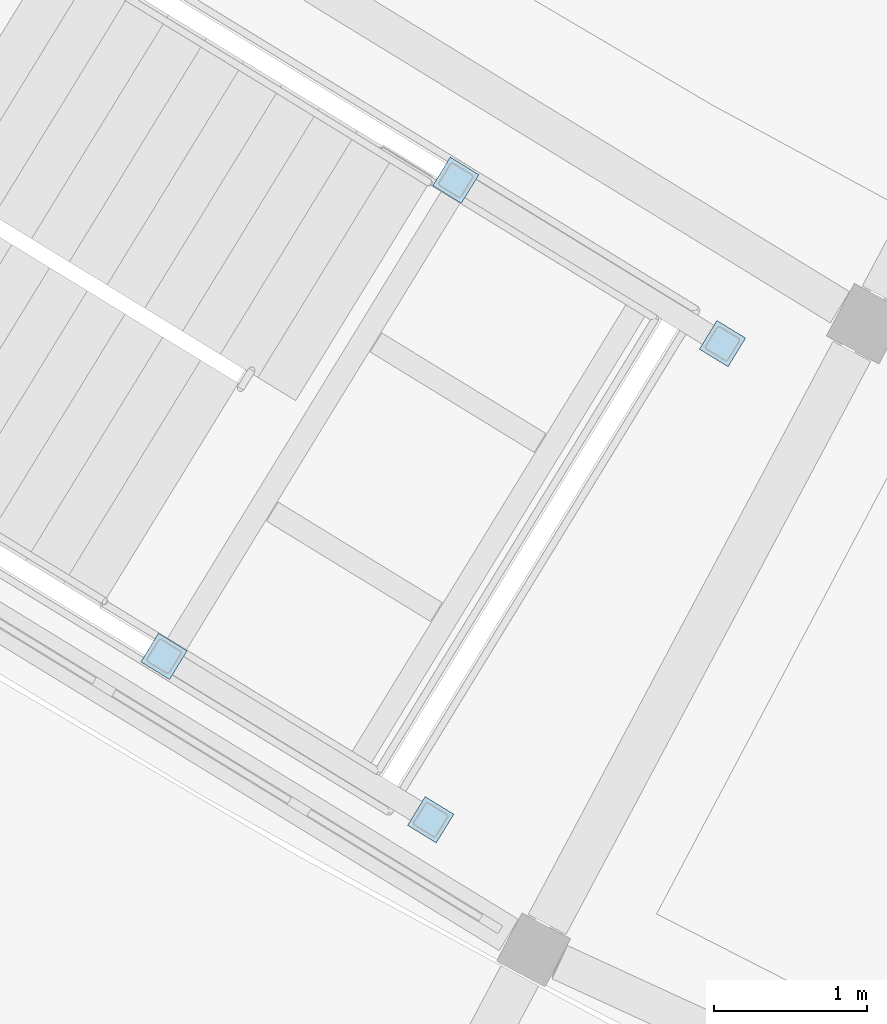
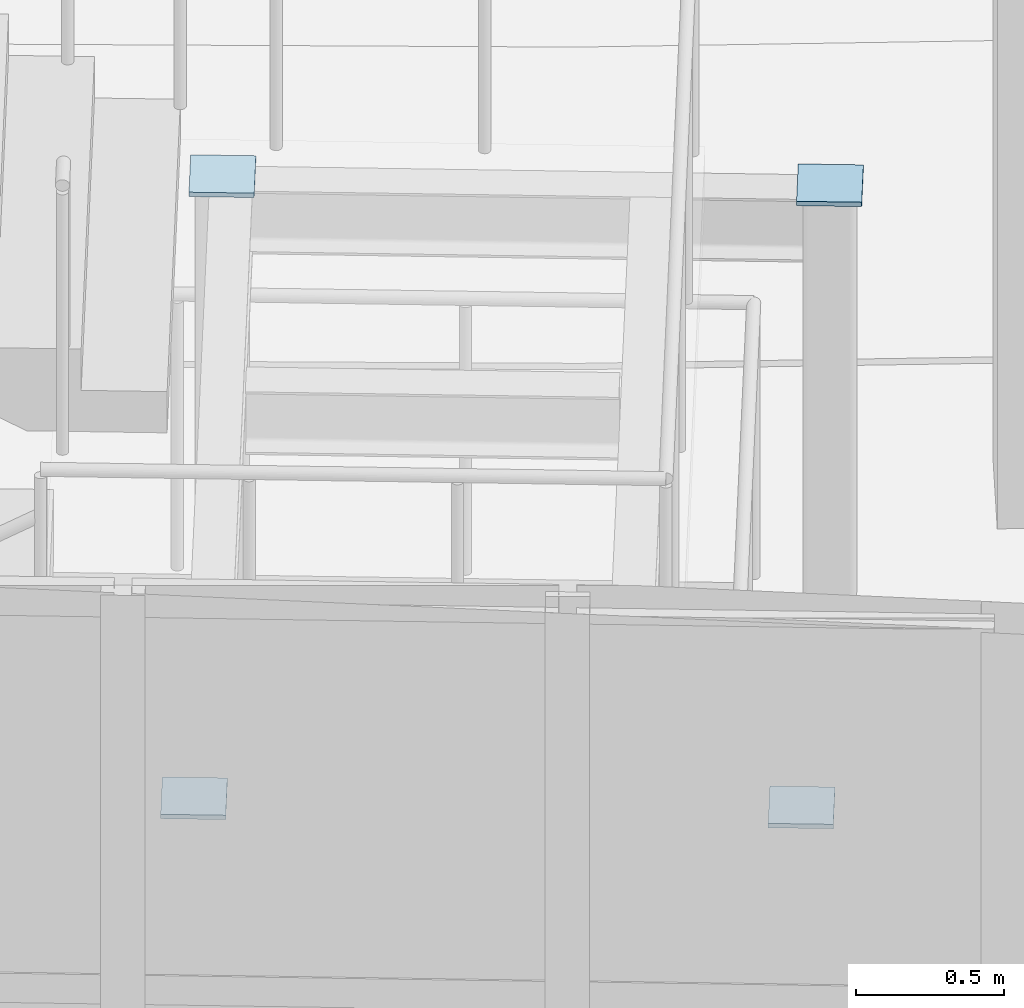
# One storey, part 23 of 36: 4 plates.
"""IFC4 building model written with IfcOpenShell, lengths in metres."""

from ifc_helpers import new_model, si_unit, direction, frame, origin, origin_2d, place, context, subcontext, project, spatial, rectangle, extrude, material, layer, layer_set, type_object, element, save


model = new_model("IFC4")

# Units and contexts
model_context = context("Model", 3, precision=1e-05, world=origin(), true_north=direction((0.0, 1.0)))
body_context = subcontext(model_context, "Body", "Model", "MODEL_VIEW")
ifc_project = project(units=[si_unit("LENGTHUNIT", "METRE"), si_unit("AREAUNIT", "SQUARE_METRE"), si_unit("VOLUMEUNIT", "CUBIC_METRE"), si_unit("PLANEANGLEUNIT", "RADIAN"), si_unit("MASSUNIT", "GRAM", prefix="KILO")], contexts=[model_context])

# Site, building, storey
site_placement = place(None, origin())
site = spatial("IfcSite", under=ifc_project, at=site_placement, CompositionType="ELEMENT")
building_placement = place(site_placement, origin())
building = spatial("IfcBuilding", under=site, at=building_placement, Name="Caldaven Crescent School", CompositionType="ELEMENT")
storey_placement = place(building_placement, frame((0.0, 0.0, 11.89990234375)))
storey = spatial("IfcBuildingStorey", under=building, at=storey_placement, Name="L03", CompositionType="ELEMENT", Elevation=11.89990234375)

# Plates
ifc_material = material(Name="Steel ASTM A572 Grade 50", Category="steel")
ifc_layer = layer(ifc_material, 0.01806640625)
ifc_layer_set = layer_set([ifc_layer], Name="Steel ASTM A572 Grade 50")
plate_type = type_object("IfcPlateType", Name="PLT-CAP18", PredefinedType="USERDEFINED", material=ifc_layer_set)
for number, where, z_axis, x_axis, name in (
    (1, (54.428955078125, 39.341552734375, 1.675048828125), (0.0, 0.0, 1.0), (0.852640164354, -0.522498564716, 0.0), "CAP-STPOST-ST1-L03-A"),
    (2, (56.34130859375, 42.462158203125, 1.675048828125), (0.0, 0.0, 1.0), (0.852640164354, -0.522498564716, 0.0), "CAP-STPOST-ST1-L03-B"),
    (3, (56.177001953125, 38.2705078125, 1.675048828125), (0.0, 0.0, 1.0), (0.852640164354, -0.522498564716, 0.0), "CAP-STPOST-ST1-L03-C"),
    (4, (58.08935546875, 41.39111328125, 1.675048828125), (0.0, 0.0, 1.0), (0.852640164354, -0.522498564716, 0.0), "CAP-STPOST-ST1-L03-D"),
):
    element("IfcPlate", number, at=place(storey_placement, frame(where, z_axis=z_axis, x_axis=x_axis)), inside=storey, type_object=plate_type, Name=name, ObjectType="CAP_PLATE", PredefinedType="USERDEFINED", context=body_context, shape_type="SweptSolid", body=[
        extrude(rectangle(XDim=0.219970703125, YDim=0.219970703125, at=origin_2d()), origin(), (0.0, 0.0, 1.0), 0.01806640625),
    ])

save(model, "model.ifc")
